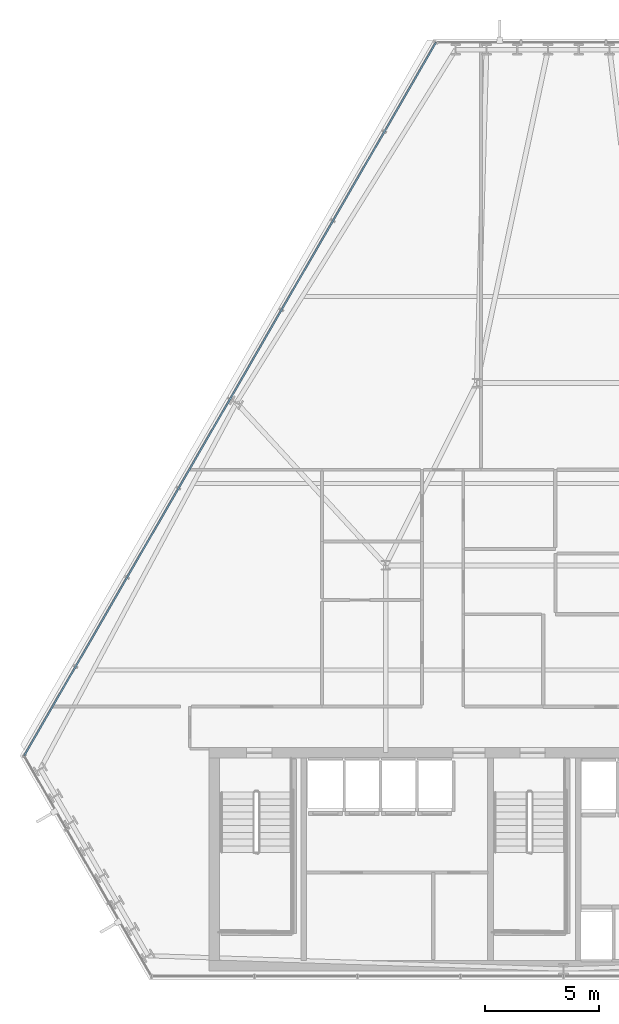
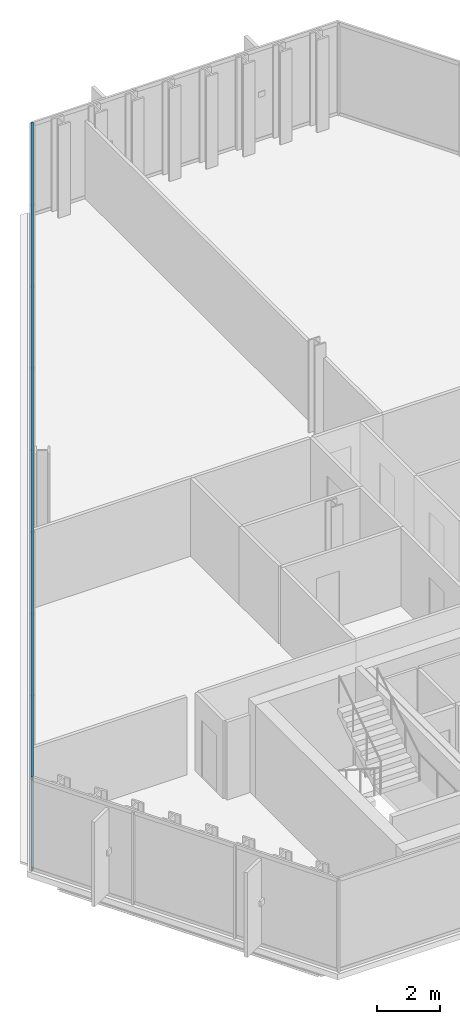
# One storey, part 13 of 33: 2 members, 1 element without a shape of its own.
"""IFC4 building model written with IfcOpenShell, lengths in metres."""

from ifc_helpers import new_model, si_unit, direction, frame, origin, origin_2d, place, context, subcontext, project, spatial, hollow_rectangle, extrude, material, layer, layer_set, material_profile, profile_set, type_object, element, aggregate, save


model = new_model("IFC4")

# Units and contexts
model_context = context("Model", 3, precision=1e-05, world=origin(), true_north=direction((0.0, 1.0)))
body_context = subcontext(model_context, "Body", "Model", "MODEL_VIEW")
ifc_project = project(units=[si_unit("LENGTHUNIT", "METRE"), si_unit("AREAUNIT", "SQUARE_METRE"), si_unit("VOLUMEUNIT", "CUBIC_METRE"), si_unit("PLANEANGLEUNIT", "RADIAN"), si_unit("MASSUNIT", "GRAM", prefix="KILO")], contexts=[model_context])

# Site, building, storey
site_placement = place(None, origin())
site = spatial("IfcSite", under=ifc_project, at=site_placement, CompositionType="ELEMENT")
building_placement = place(site_placement, origin())
building = spatial("IfcBuilding", under=site, at=building_placement, Name="Ndaravel Arena Tower", CompositionType="ELEMENT")
storey_placement = place(building_placement, frame((0.0, 0.0, 149.800048828125)))
storey = spatial("IfcBuildingStorey", under=building, at=storey_placement, Name="L35", CompositionType="ELEMENT", Elevation=149.800048828125)

# Curtain wall, members
ifc_material_1 = material(Name="Aluminium", Category="aluminium")
ifc_layer = layer(ifc_material_1, 0.179931640625)
ifc_layer_set = layer_set([ifc_layer], Name="Aluminium")
curtain_wall_type = type_object("IfcCurtainWallType", Name="CW-SYS-03", PredefinedType="NOTDEFINED", material=ifc_layer_set)
curtain_wall_placement = place(storey_placement, origin())
curtain_wall = element("IfcCurtainWall", 1, at=curtain_wall_placement, inside=storey, type_object=curtain_wall_type, Name="L35 Faceted Crystal Curtain Wall CW-L35-E05", PredefinedType="NOTDEFINED")
ifc_material_2 = material(Name="Aluminium", Category="aluminium")
ifc_material_profile = material_profile(ifc_material_2, hollow_rectangle(XDim=0.074951171875, YDim=0.14990234375, WallThickness=0.00390625, at=origin_2d()), Name="CW TRANSOM 75x150x4")
ifc_profile_set = profile_set([ifc_material_profile], Name="Aluminium")
member_type = type_object("IfcMemberType", Name="MEM-CW-TRN150", PredefinedType="USERDEFINED", material=ifc_profile_set)
member_1_placement = place(storey_placement, frame((36.408203125, 46.15380859375, 0.0400390625), z_axis=(-0.500000905754, -0.866024880846, 0.0), x_axis=(0.866024880846, -0.500000905754, 0.0)))
member_1 = element("IfcMember", 2, at=member_1_placement, type_object=member_type, Name="CW-L35-E05 Transom 01", ObjectType="TRANSOM", PredefinedType="USERDEFINED", context=body_context, shape_type="SweptSolid", body=[
    extrude(hollow_rectangle(XDim=0.074951171875, YDim=0.14990234375, WallThickness=0.00390625, at=origin_2d()), origin(), (0.0, 0.0, 1.0), 36.15185546875),
])
member_2_placement = place(storey_placement, frame((36.408203125, 46.15380859375, 3.5400390625), z_axis=(-0.500000905754, -0.866024880846, 0.0), x_axis=(0.866024880846, -0.500000905754, 0.0)))
member_2 = element("IfcMember", 3, at=member_2_placement, type_object=member_type, Name="CW-L35-E05 Transom 02", ObjectType="TRANSOM", PredefinedType="USERDEFINED", context=body_context, shape_type="SweptSolid", body=[
    extrude(hollow_rectangle(XDim=0.074951171875, YDim=0.14990234375, WallThickness=0.00390625, at=origin_2d()), origin(), (0.0, 0.0, 1.0), 36.15185546875),
])
aggregate(curtain_wall, [member_1, member_2])

save(model, "model.ifc")
